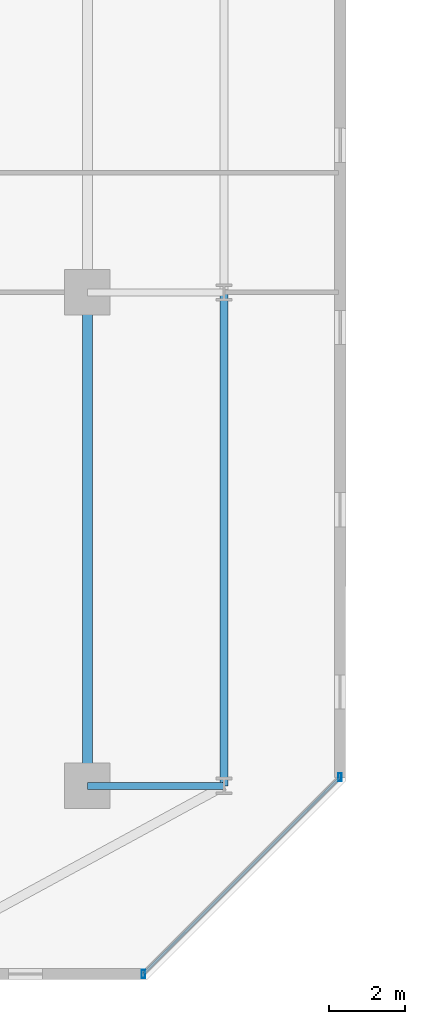
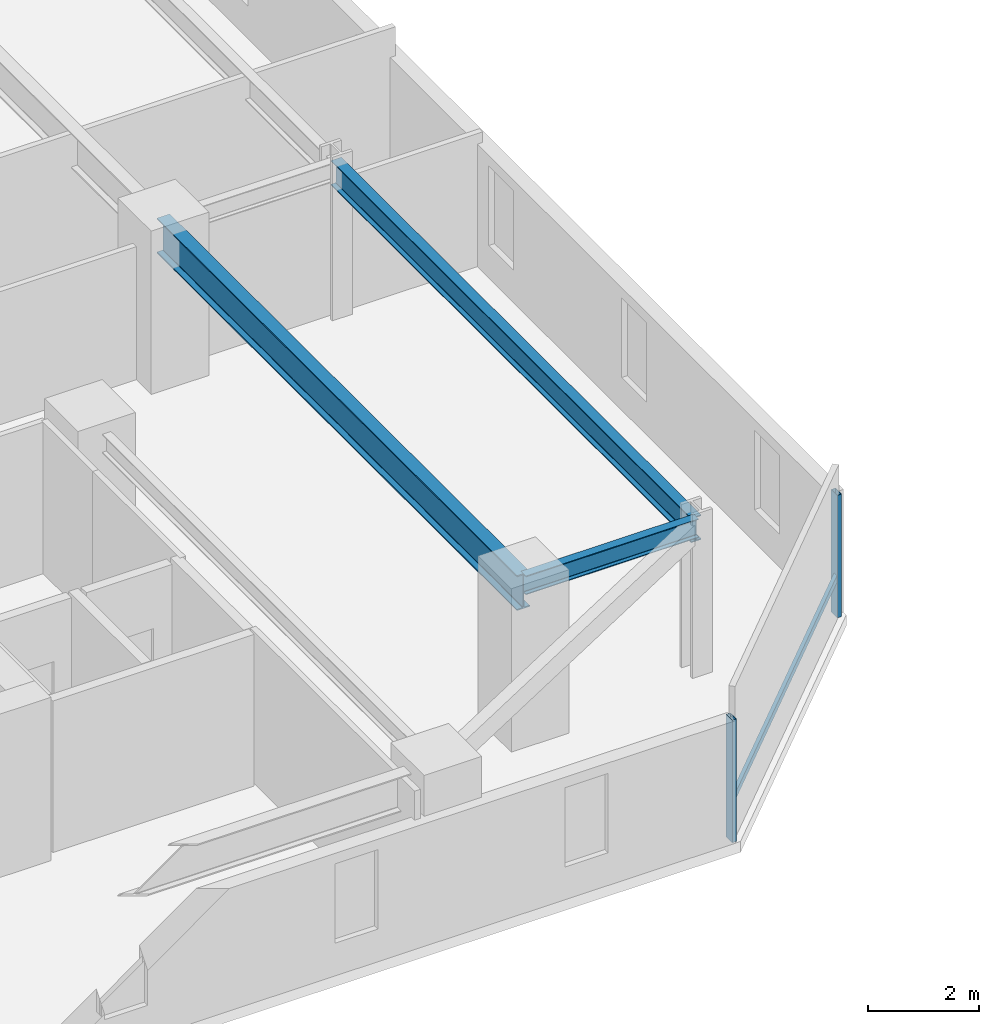
# One storey, part 5 of 31: 3 beams, 3 members, 1 element without a shape of its own.
"""IFC4 building model written with IfcOpenShell, lengths in metres."""

from ifc_helpers import new_model, si_unit, direction, frame, origin, origin_2d, place, context, subcontext, project, spatial, hollow_rectangle, i_section, extrude, material, material_profile, profile_set, type_object, element, aggregate, save


model = new_model("IFC4")

# Units and contexts
model_context = context("Model", 3, precision=1e-05, world=origin(), true_north=direction((0.0, 1.0)))
body_context = subcontext(model_context, "Body", "Model", "MODEL_VIEW")
ifc_project = project(units=[si_unit("LENGTHUNIT", "METRE"), si_unit("AREAUNIT", "SQUARE_METRE"), si_unit("VOLUMEUNIT", "CUBIC_METRE"), si_unit("PLANEANGLEUNIT", "RADIAN"), si_unit("MASSUNIT", "GRAM", prefix="KILO")], contexts=[model_context])

# Site, building, storey
site_placement = place(None, origin())
site = spatial("IfcSite", under=ifc_project, at=site_placement, CompositionType="ELEMENT")
building_placement = place(site_placement, origin())
building = spatial("IfcBuilding", under=site, at=building_placement, Name="Thornwick Lancets Civic Towers", CompositionType="ELEMENT")
storey_placement = place(building_placement, frame((0.0, 0.0, 87.300048828125)))
storey = spatial("IfcBuildingStorey", under=building, at=storey_placement, Name="L22", CompositionType="ELEMENT", Elevation=87.300048828125)

# Beams
ifc_material_1 = material(Name="Steel S355JR", Category="steel")
ifc_material_profile_1 = material_profile(ifc_material_1, i_section(OverallWidth=0.2119140625, OverallDepth=0.54443359375, WebThickness=0.0126953125, FlangeThickness=0.021240234375, FilletRadius=0.0126953125, at=origin_2d()), Name="UKB 533x210x122")
ifc_profile_set_1 = profile_set([ifc_material_profile_1], Name="Steel S355JR")
beam_type_1 = type_object("IfcBeamType", Name="BM_EDGE_533_122", PredefinedType="SPANDREL", material=ifc_profile_set_1)
beam_1_placement = place(storey_placement, frame((46.39990234375, 14.0, 3.087646484375), z_axis=(0.0, 1.0, 0.0), x_axis=(-1.0, 0.0, 0.0)))
element("IfcBeam", 1, at=beam_1_placement, inside=storey, type_object=beam_type_1, Name="BM-EDGE-L22-A-S1-1", PredefinedType="SPANDREL", context=body_context, shape_type="SweptSolid", body=[
    extrude(i_section(OverallWidth=0.2119140625, OverallDepth=0.54443359375, WebThickness=0.0126953125, FlangeThickness=0.021240234375, FilletRadius=0.0126953125, at=origin_2d()), origin(), (0.0, 0.0, 1.0), 13.0),
])
ifc_material_profile_2 = material_profile(ifc_material_1, i_section(OverallWidth=0.26806640625, OverallDepth=0.769775390625, WebThickness=0.015625, FlangeThickness=0.025390625, FilletRadius=0.0166015625, at=origin_2d()), Name="UKB 762x267x197")
ifc_profile_set_2 = profile_set([ifc_material_profile_2], Name="Steel S355JR")
beam_type_2 = type_object("IfcBeamType", Name="BM_GIRD_762_197", PredefinedType="BEAM", material=ifc_profile_set_2)
beam_2_placement = place(storey_placement, frame((42.800048828125, 14.0, 2.97509765625), z_axis=(0.0, 1.0, 0.0), x_axis=(-1.0, 0.0, 0.0)))
element("IfcBeam", 2, at=beam_2_placement, inside=storey, type_object=beam_type_2, Name="BM-SPINE-L22-A-3-4", PredefinedType="BEAM", context=body_context, shape_type="SweptSolid", body=[
    extrude(i_section(OverallWidth=0.26806640625, OverallDepth=0.769775390625, WebThickness=0.015625, FlangeThickness=0.025390625, FilletRadius=0.0166015625, at=origin_2d()), origin(), (0.0, 0.0, 1.0), 13.0),
])
ifc_material_profile_3 = material_profile(ifc_material_1, i_section(OverallWidth=0.179443359375, OverallDepth=0.412841796875, WebThickness=0.009521484375, FlangeThickness=0.01611328125, FilletRadius=0.01025390625, at=origin_2d()), Name="UKB 406x178x74")
ifc_profile_set_3 = profile_set([ifc_material_profile_3], Name="Steel S355JR")
beam_type_3 = type_object("IfcBeamType", Name="BM_JOIST_406_74", PredefinedType="JOIST", material=ifc_profile_set_3)
beam_3_placement = place(storey_placement, frame((42.800048828125, 14.0, 3.153564453125), z_axis=(1.0, 0.0, 0.0), x_axis=(0.0, 1.0, 0.0)))
element("IfcBeam", 3, at=beam_3_placement, inside=storey, type_object=beam_type_3, Name="BM-RAD-L22-A04", PredefinedType="JOIST", context=body_context, shape_type="SweptSolid", body=[
    extrude(i_section(OverallWidth=0.179443359375, OverallDepth=0.412841796875, WebThickness=0.009521484375, FlangeThickness=0.01611328125, FilletRadius=0.01025390625, at=origin_2d()), origin(), (0.0, 0.0, 1.0), 3.599853515625),
])

# Curtain wall, members
ifc_material_2 = material(Name="Low-zone chamfered-corner unitised glass curtain wall", Category="glass")
curtain_wall_type = type_object("IfcCurtainWallType", Name="CW_SYS_03", PredefinedType="NOTDEFINED", material=ifc_material_2)
curtain_wall_placement = place(storey_placement, origin())
curtain_wall = element("IfcCurtainWall", 4, at=curtain_wall_placement, inside=storey, type_object=curtain_wall_type, Name="L22 Curtain Wall CW-L22-A-E1", PredefinedType="NOTDEFINED")
ifc_material_3 = material(Name="Thermally broken bronze aluminium S355", Category="steel")
ifc_material_profile_4 = material_profile(ifc_material_3, hollow_rectangle(XDim=0.090087890625, YDim=0.219970703125, WallThickness=0.00634765625, at=origin_2d()), Name="RHS 220x90x6.3")
ifc_profile_set_4 = profile_set([ifc_material_profile_4], Name="Thermally broken bronze aluminium S355")
member_type_1 = type_object("IfcMemberType", Name="CW_MUL_220", PredefinedType="MULLION", material=ifc_profile_set_4)
member_1_placement = place(storey_placement, frame((44.273681640625, 9.043701171875, 0.0), z_axis=(0.0, 0.0, 1.0), x_axis=(1.0, 0.0, 0.0)))
member_1 = element("IfcMember", 5, at=member_1_placement, type_object=member_type_1, Name="CW-L22-A-E1 Mullion 0", PredefinedType="MULLION", context=body_context, shape_type="SweptSolid", body=[
    extrude(hollow_rectangle(XDim=0.090087890625, YDim=0.219970703125, WallThickness=0.00634765625, at=origin_2d()), origin(), (0.0, 0.0, 1.0), 2.699951171875),
])
member_2_placement = place(storey_placement, frame((49.456298828125, 14.226318359375, 0.0), z_axis=(0.0, 0.0, 1.0), x_axis=(1.0, 0.0, 0.0)))
member_2 = element("IfcMember", 6, at=member_2_placement, type_object=member_type_1, Name="CW-L22-A-E1 Mullion 1", PredefinedType="MULLION", context=body_context, shape_type="SweptSolid", body=[
    extrude(hollow_rectangle(XDim=0.090087890625, YDim=0.219970703125, WallThickness=0.00634765625, at=origin_2d()), origin(), (0.0, 0.0, 1.0), 2.699951171875),
])
ifc_material_profile_5 = material_profile(ifc_material_3, hollow_rectangle(XDim=0.074951171875, YDim=0.14990234375, WallThickness=0.0048828125, at=origin_2d()), Name="RHS 150x75x5")
ifc_profile_set_5 = profile_set([ifc_material_profile_5], Name="Thermally broken bronze aluminium S355")
member_type_2 = type_object("IfcMemberType", Name="CW_TRN_150", PredefinedType="USERDEFINED", material=ifc_profile_set_5)
member_3_placement = place(storey_placement, frame((44.287841796875, 9.057861328125, 0.849853515625), z_axis=(0.707106781187, 0.707106781187, 0.0), x_axis=(-0.707106781187, 0.707106781187, 0.0)))
member_3 = element("IfcMember", 7, at=member_3_placement, type_object=member_type_2, Name="CW-L22-A-E1 Transom 0", ObjectType="TRANSOM", PredefinedType="USERDEFINED", context=body_context, shape_type="SweptSolid", body=[
    extrude(hollow_rectangle(XDim=0.074951171875, YDim=0.14990234375, WallThickness=0.0048828125, at=origin_2d()), origin(), (0.0, 0.0, 1.0), 7.289306640625),
])
aggregate(curtain_wall, [member_1, member_2, member_3])

save(model, "model.ifc")
